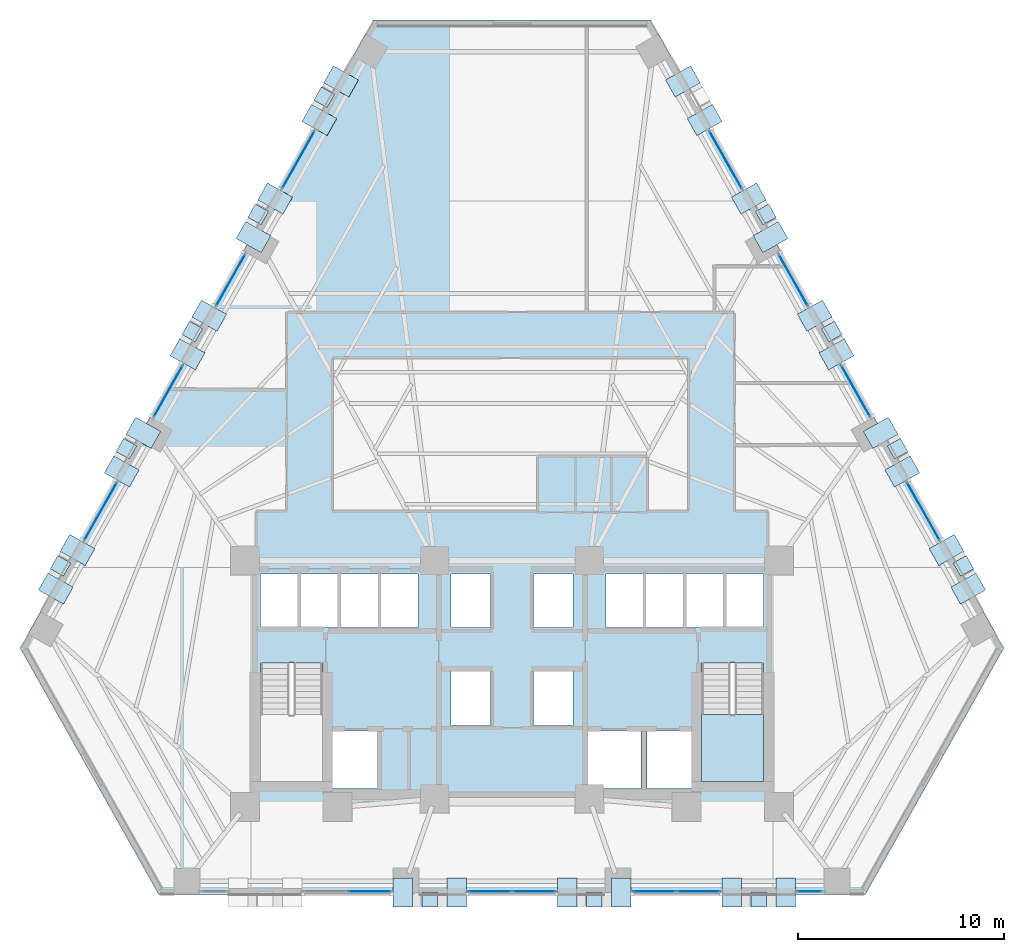
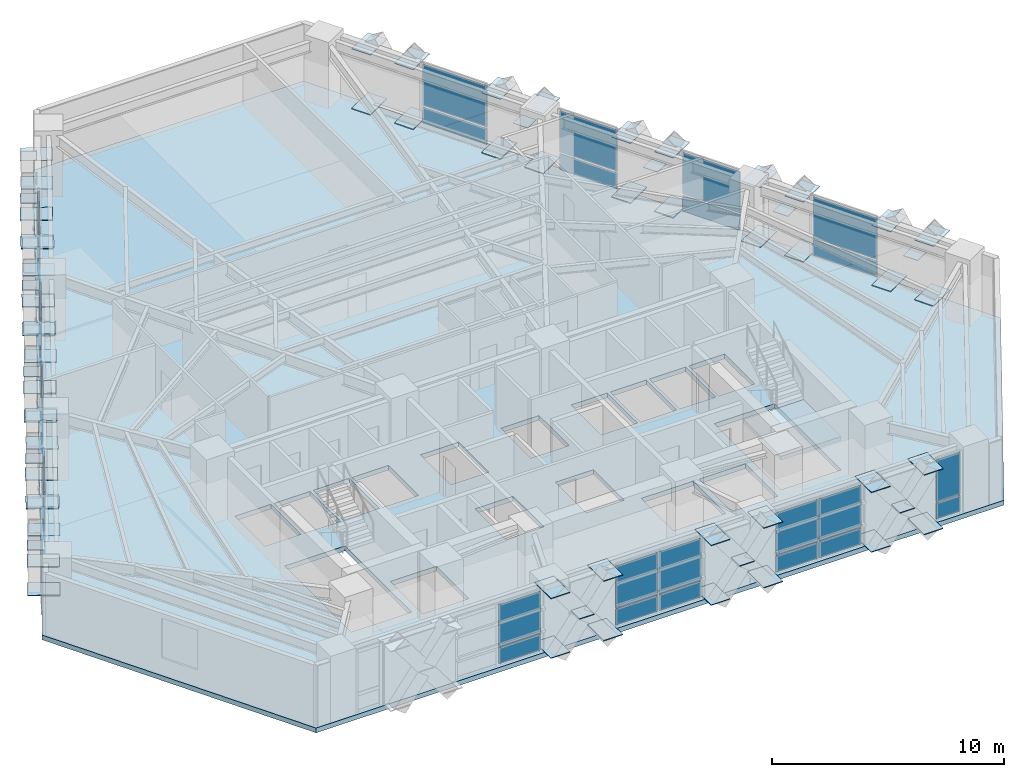
# One storey, part 6 of 13: 92 plates, 2 slabs, 13 elements without a shape of their own.
"""IFC4 building model written with IfcOpenShell, lengths in metres."""

import ifcopenshell
import ifcopenshell.guid

model = None  # the IFC model being written
_history = None  # IfcOwnerHistory: only IFC2X3 demands one
_inside = {}  # id of a spatial element -> (the spatial element, [elements in it])
_under = {}  # id of a project, library or spatial element -> (it, [spatial elements below it])
_declared = {}  # id of a project -> (the project, [libraries it declares])
_typed = {}  # id of a type object -> (the type object, [elements of that type])
_made_of = {}  # id of a material, layer set ... -> (it, [elements and type objects made of it])


def new_model(schema):
    """Start an empty IFC model of exactly this schema.

    Asked for "IFC4X3", IfcOpenShell would pick the latest addendum, in which some entities
    have other attributes; the version numbers below select the first issue.
    IFC2X3 requires an IfcOwnerHistory on every rooted entity: one is made here for all.
    """
    global model, _history
    if schema == "IFC4X3":
        model = ifcopenshell.file(schema_version=(4, 3, 0, 0))
    else:
        model = ifcopenshell.file(schema=schema)
    _inside.clear()
    _under.clear()
    _declared.clear()
    _typed.clear()
    _made_of.clear()
    _history = None
    if model.schema == "IFC2X3":
        org = make("IfcOrganization", Name="unknown")
        user = make(
            "IfcPersonAndOrganization",
            ThePerson=make("IfcPerson", FamilyName="unknown"),
            TheOrganization=org,
        )
        app = make(
            "IfcApplication",
            ApplicationDeveloper=org,
            Version="unknown",
            ApplicationFullName="unknown",
            ApplicationIdentifier="unknown",
        )
        _history = make(
            "IfcOwnerHistory",
            OwningUser=user,
            OwningApplication=app,
            ChangeAction="ADDED",
            CreationDate=0,
        )
    return model


def make(cls, **values):
    """One entity of the class cls with the attributes given. An attribute that is None is left unset."""
    return model.create_entity(
        cls, **{name: value for name, value in values.items() if value is not None}
    )


def rooted(cls, **values):
    """An entity with a GlobalId (a new one), such as an element, a storey or a relation."""
    return make(cls, GlobalId=ifcopenshell.guid.new(), OwnerHistory=_history, **values)


def si_unit(unit_type, name, prefix=None):
    """IfcSIUnit, for example si_unit("LENGTHUNIT", "METRE", prefix="MILLI")."""
    return make("IfcSIUnit", UnitType=unit_type, Prefix=prefix, Name=name)


def assignment(units):
    """IfcUnitAssignment: the units of a project."""
    return None if units is None else make("IfcUnitAssignment", Units=units)


def point(xyz):
    """IfcCartesianPoint."""
    return None if xyz is None else make("IfcCartesianPoint", Coordinates=xyz)


def direction(xyz):
    """IfcDirection."""
    return None if xyz is None else make("IfcDirection", DirectionRatios=xyz)


def frame(location, z_axis=None, x_axis=None):
    """IfcAxis2Placement3D, a coordinate frame: its origin and axes. An axis left out is left unset."""
    return make(
        "IfcAxis2Placement3D",
        Location=point(location),
        Axis=direction(z_axis),
        RefDirection=direction(x_axis),
    )


def frame_2d(location, x_axis=None):
    """IfcAxis2Placement2D, a coordinate frame in the plane: its origin and x axis."""
    return make(
        "IfcAxis2Placement2D", Location=point(location), RefDirection=direction(x_axis)
    )


def origin():
    """The frame at (0, 0, 0) with its axes left unset."""
    return frame((0.0, 0.0, 0.0))


def origin_2d():
    """The frame at (0, 0) in the plane with its x axis left unset."""
    return frame_2d((0.0, 0.0))


def place(relative_to, where):
    """IfcLocalPlacement: puts the frame where relative to a parent placement (None: the world)."""
    return make(
        "IfcLocalPlacement", PlacementRelTo=relative_to, RelativePlacement=where
    )


def context(
    kind, dimensions, precision=None, world=None, true_north=None, identifier=None
):
    """IfcGeometricRepresentationContext, for example the 3D "Model" context."""
    return make(
        "IfcGeometricRepresentationContext",
        ContextIdentifier=identifier,
        ContextType=kind,
        CoordinateSpaceDimension=dimensions,
        Precision=precision,
        WorldCoordinateSystem=world,
        TrueNorth=true_north,
    )


def subcontext(parent, identifier, kind, view, scale=None):
    """IfcGeometricRepresentationSubContext, for example "Body" below "Model"."""
    return make(
        "IfcGeometricRepresentationSubContext",
        ContextIdentifier=identifier,
        ContextType=kind,
        ParentContext=parent,
        TargetScale=scale,
        TargetView=view,
    )


def project(units=None, contexts=None):
    """IfcProject with its units and contexts."""
    return rooted(
        "IfcProject",
        Name="project",
        RepresentationContexts=contexts,
        UnitsInContext=assignment(units),
    )


def spatial(cls, under=None, at=None, **own):
    """A site, building, storey or space (cls), placed at a placement, below another one or the project."""
    s = rooted(cls, ObjectPlacement=at, **own)
    if under is not None:
        _under.setdefault(under.id(), (under, []))[1].append(s)
    return s


def polyline(points):
    """IfcPolyline through the points."""
    return make("IfcPolyline", Points=[point(p) for p in points])


def profile(cls, at=None, kind="AREA", **sizes):
    """A parametric profile (cls). Its sizes go by their IFC names, for example OverallWidth=200.0."""
    return make(cls, ProfileType=kind, Position=at, **sizes)


def rectangle(**sizes):
    """IfcRectangleProfileDef."""
    return profile("IfcRectangleProfileDef", **sizes)


def outline(outer, holes=None, kind="AREA"):
    """IfcArbitraryClosedProfileDef: a profile drawn as a closed curve; with holes, ...WithVoids."""
    if holes is None:
        return make("IfcArbitraryClosedProfileDef", ProfileType=kind, OuterCurve=outer)
    return make(
        "IfcArbitraryProfileDefWithVoids",
        ProfileType=kind,
        OuterCurve=outer,
        InnerCurves=holes,
    )


def extrude(swept, where, along, depth):
    """IfcExtrudedAreaSolid: the profile swept, set in the frame where, extruded along a direction by depth."""
    return make(
        "IfcExtrudedAreaSolid",
        SweptArea=swept,
        Position=where,
        ExtrudedDirection=direction(along),
        Depth=depth,
    )


def shape(context_of_items, identifier, shape_type, items):
    """IfcShapeRepresentation: the items that make up one representation, for example the "Body"."""
    return make(
        "IfcShapeRepresentation",
        ContextOfItems=context_of_items,
        RepresentationIdentifier=identifier,
        RepresentationType=shape_type,
        Items=items,
    )


def material(Name=None, Category=None):
    """IfcMaterial."""
    return make("IfcMaterial", Name=Name, Category=Category)


def layer(
    of_material, thickness, ventilated=None, Name=None, Category=None, Priority=None
):
    """IfcMaterialLayer: one layer of a wall or slab, of a material (None: an air gap)."""
    return make(
        "IfcMaterialLayer",
        Material=of_material,
        LayerThickness=thickness,
        IsVentilated=ventilated,
        Name=Name,
        Category=Category,
        Priority=Priority,
    )


def layer_set(layers, Name=None):
    """IfcMaterialLayerSet."""
    return make("IfcMaterialLayerSet", MaterialLayers=layers, LayerSetName=Name)


def made_of(thing, what):
    """Note that an element or type object is made of a material, layer set ...; save() writes the relation."""
    if what is not None:
        _made_of.setdefault(what.id(), (what, []))[1].append(thing)
    return thing


def type_object(cls, material=None, **own):
    """A type object (cls), such as IfcWallType, which elements share."""
    return made_of(rooted(cls, **own), material)


def element(
    cls,
    number,
    at=None,
    inside=None,
    cuts=None,
    type_object=None,
    material=None,
    context=None,
    identifier="Body",
    shape_type=None,
    held_by="IfcProductDefinitionShape",
    body=None,
    shapes=None,
    **own,
):
    """One element of the class cls, such as IfcWall. Its Tag is "e" and its number.

    at: its placement. inside: the storey or other place that contains it. cuts: it is an
    opening in that element (IfcRelVoidsElement). A single representation is given by context,
    identifier, shape_type and body (its items); several are given by shapes. held_by: the class
    of the entity that holds the representations. save() writes the other relations.
    """
    e = rooted(cls, Tag="e%d" % number, ObjectPlacement=at, **own)
    if body is not None:
        shapes = [shape(context, identifier, shape_type, body)]
    if shapes is not None:
        e.Representation = make(held_by, Representations=shapes)
    if inside is not None:
        _inside.setdefault(inside.id(), (inside, []))[1].append(e)
    if cuts is not None:
        rooted(
            "IfcRelVoidsElement", RelatingBuildingElement=cuts, RelatedOpeningElement=e
        )
    if type_object is not None:
        _typed.setdefault(type_object.id(), (type_object, []))[1].append(e)
    return made_of(e, material)


def aggregate(whole, parts):
    """IfcRelAggregates: a whole, such as a stair, and the parts it consists of."""
    return rooted("IfcRelAggregates", RelatingObject=whole, RelatedObjects=parts)


def save(model, path):
    """Write the relations noted so far, then the file.

    IfcRelAggregates (storeys below a building ...), IfcRelContainedInSpatialStructure (elements
    in a storey), IfcRelDefinesByType, IfcRelAssociatesMaterial and IfcRelDeclares: one each for
    every whole, place, type object, material and project.
    """
    for whole, parts in _under.values():
        aggregate(whole, parts)
    for where, things in _inside.values():
        rooted(
            "IfcRelContainedInSpatialStructure",
            RelatedElements=things,
            RelatingStructure=where,
        )
    for kind, things in _typed.values():
        rooted("IfcRelDefinesByType", RelatedObjects=things, RelatingType=kind)
    for what, things in _made_of.values():
        rooted("IfcRelAssociatesMaterial", RelatedObjects=things, RelatingMaterial=what)
    for by, libraries in _declared.values():
        rooted("IfcRelDeclares", RelatingContext=by, RelatedDefinitions=libraries)
    model.write(path)


model = new_model("IFC4")

# Units and contexts
model_context = context("Model", 3, precision=1e-05, world=origin(), true_north=direction((0.0, 1.0)))
body_context = subcontext(model_context, "Body", "Model", "MODEL_VIEW")
ifc_project = project(units=[si_unit("LENGTHUNIT", "METRE"), si_unit("AREAUNIT", "SQUARE_METRE"), si_unit("VOLUMEUNIT", "CUBIC_METRE"), si_unit("PLANEANGLEUNIT", "RADIAN"), si_unit("MASSUNIT", "GRAM", prefix="KILO")], contexts=[model_context])

# Site, building, storey
site_placement = place(None, origin())
site = spatial("IfcSite", under=ifc_project, at=site_placement, CompositionType="ELEMENT")
building_placement = place(site_placement, origin())
building = spatial("IfcBuilding", under=site, at=building_placement, Name="Quenlor Broadcast Tower", CompositionType="ELEMENT")
storey_placement = place(building_placement, frame((0.0, 0.0, 41.60009765625)))
storey = spatial("IfcBuildingStorey", under=building, at=storey_placement, Name="L10", CompositionType="ELEMENT", Elevation=41.60009765625)

# Curtain wall, plates
ifc_material_1 = material(Name="Architectural Terracotta and Low-E Glazing", Category="masonry")
curtain_wall_type = type_object("IfcCurtainWallType", Name="Unitised Terracotta Curtain Wall System Z1", PredefinedType="NOTDEFINED", material=ifc_material_1)
curtain_wall_1_placement = place(storey_placement, origin())
curtain_wall_1 = element("IfcCurtainWall", 1, at=curtain_wall_1_placement, inside=storey, type_object=curtain_wall_type, Name="L10 Curtain Wall CW1 (L10-SA-G1)", PredefinedType="NOTDEFINED")
ifc_material_2 = material(Name="Double Glazed Low-E Solar Glass", Category="glass")
ifc_layer_1 = layer(ifc_material_2, 0.031982421875)
ifc_layer_set_1 = layer_set([ifc_layer_1], Name="CW1 Double Glazed Vision Panel 32")
plate_type_1 = type_object("IfcPlateType", Name="CW1 Double Glazed Vision Panel 32", PredefinedType="CURTAIN_PANEL", material=ifc_layer_set_1)
plate_1_placement = place(storey_placement, frame((14.44091796875, -20.840087890625, 0.079833984375), z_axis=(0.0, 0.0, 1.0), x_axis=(-1.0, 0.0, 0.0)))
plate_1 = element("IfcPlate", 2, at=plate_1_placement, type_object=plate_type_1, Name="CW1 panel 1.1", PredefinedType="CURTAIN_PANEL", context=body_context, shape_type="SweptSolid", body=[
    extrude(rectangle(XDim=1.188232421875, YDim=0.031982421875, at=origin_2d()), origin(), (0.0, 0.0, 1.0), 0.830078125),
])
plate_2_placement = place(storey_placement, frame((14.44091796875, -20.840087890625, 0.98974609375), z_axis=(0.0, 0.0, 1.0), x_axis=(-1.0, 0.0, 0.0)))
plate_2 = element("IfcPlate", 3, at=plate_2_placement, type_object=plate_type_1, Name="CW1 panel 1.2", PredefinedType="CURTAIN_PANEL", context=body_context, shape_type="SweptSolid", body=[
    extrude(rectangle(XDim=1.188232421875, YDim=0.031982421875, at=origin_2d()), origin(), (0.0, 0.0, 1.0), 2.179931640625),
])
aggregate(curtain_wall_1, [plate_1, plate_2])

curtain_wall_2_placement = place(storey_placement, origin())
curtain_wall_2 = element("IfcCurtainWall", 4, at=curtain_wall_2_placement, inside=storey, type_object=curtain_wall_type, Name="L10 Curtain Wall CW1 (L10-SA-G2)", PredefinedType="NOTDEFINED")
plate_3_placement = place(storey_placement, frame((9.058837890625, -20.840087890625, 0.079833984375), z_axis=(0.0, 0.0, 1.0), x_axis=(-1.0, 0.0, 0.0)))
plate_3 = element("IfcPlate", 5, at=plate_3_placement, type_object=plate_type_1, Name="CW1 panel 1.1", PredefinedType="CURTAIN_PANEL", context=body_context, shape_type="SweptSolid", body=[
    extrude(rectangle(XDim=2.072021484375, YDim=0.031982421875, at=origin_2d()), origin(), (0.0, 0.0, 1.0), 0.830078125),
])
plate_4_placement = place(storey_placement, frame((9.058837890625, -20.840087890625, 0.98974609375), z_axis=(0.0, 0.0, 1.0), x_axis=(-1.0, 0.0, 0.0)))
plate_4 = element("IfcPlate", 6, at=plate_4_placement, type_object=plate_type_1, Name="CW1 panel 1.2", PredefinedType="CURTAIN_PANEL", context=body_context, shape_type="SweptSolid", body=[
    extrude(rectangle(XDim=2.072021484375, YDim=0.031982421875, at=origin_2d()), origin(), (0.0, 0.0, 1.0), 2.179931640625),
])
plate_5_placement = place(storey_placement, frame((6.90673828125, -20.840087890625, 0.079833984375), z_axis=(0.0, 0.0, 1.0), x_axis=(-1.0, 0.0, 0.0)))
plate_5 = element("IfcPlate", 7, at=plate_5_placement, type_object=plate_type_1, Name="CW1 panel 2.1", PredefinedType="CURTAIN_PANEL", context=body_context, shape_type="SweptSolid", body=[
    extrude(rectangle(XDim=2.072021484375, YDim=0.031982421875, at=origin_2d()), origin(), (0.0, 0.0, 1.0), 0.830078125),
])
plate_6_placement = place(storey_placement, frame((6.90673828125, -20.840087890625, 0.98974609375), z_axis=(0.0, 0.0, 1.0), x_axis=(-1.0, 0.0, 0.0)))
plate_6 = element("IfcPlate", 8, at=plate_6_placement, type_object=plate_type_1, Name="CW1 panel 2.2", PredefinedType="CURTAIN_PANEL", context=body_context, shape_type="SweptSolid", body=[
    extrude(rectangle(XDim=2.072021484375, YDim=0.031982421875, at=origin_2d()), origin(), (0.0, 0.0, 1.0), 2.179931640625),
])
aggregate(curtain_wall_2, [plate_3, plate_4, plate_5, plate_6])

curtain_wall_3_placement = place(storey_placement, origin())
curtain_wall_3 = element("IfcCurtainWall", 9, at=curtain_wall_3_placement, inside=storey, type_object=curtain_wall_type, Name="L10 Curtain Wall CW1 (L10-SC-G1)", PredefinedType="NOTDEFINED")
plate_7_placement = place(storey_placement, frame((-6.90673828125, -20.840087890625, 0.079833984375), z_axis=(0.0, 0.0, 1.0), x_axis=(-1.0, 0.0, 0.0)))
plate_7 = element("IfcPlate", 10, at=plate_7_placement, type_object=plate_type_1, Name="CW1 panel 1.1", PredefinedType="CURTAIN_PANEL", context=body_context, shape_type="SweptSolid", body=[
    extrude(rectangle(XDim=2.072021484375, YDim=0.031982421875, at=origin_2d()), origin(), (0.0, 0.0, 1.0), 0.830078125),
])
plate_8_placement = place(storey_placement, frame((-6.90673828125, -20.840087890625, 0.98974609375), z_axis=(0.0, 0.0, 1.0), x_axis=(-1.0, 0.0, 0.0)))
plate_8 = element("IfcPlate", 11, at=plate_8_placement, type_object=plate_type_1, Name="CW1 panel 1.2", PredefinedType="CURTAIN_PANEL", context=body_context, shape_type="SweptSolid", body=[
    extrude(rectangle(XDim=2.072021484375, YDim=0.031982421875, at=origin_2d()), origin(), (0.0, 0.0, 1.0), 2.179931640625),
])
aggregate(curtain_wall_3, [plate_7, plate_8])

curtain_wall_4_placement = place(storey_placement, origin())
curtain_wall_4 = element("IfcCurtainWall", 12, at=curtain_wall_4_placement, inside=storey, type_object=curtain_wall_type, Name="L10 Curtain Wall CW1 (L10-S-G1)", PredefinedType="NOTDEFINED")
plate_9_placement = place(storey_placement, frame((1.0771484375, -20.840087890625, 0.079833984375), z_axis=(0.0, 0.0, 1.0), x_axis=(-1.0, 0.0, 0.0)))
plate_9 = element("IfcPlate", 13, at=plate_9_placement, type_object=plate_type_1, Name="CW1 panel 1.1", PredefinedType="CURTAIN_PANEL", context=body_context, shape_type="SweptSolid", body=[
    extrude(rectangle(XDim=2.07421875, YDim=0.031982421875, at=origin_2d()), origin(), (0.0, 0.0, 1.0), 0.830078125),
])
plate_10_placement = place(storey_placement, frame((1.0771484375, -20.840087890625, 0.98974609375), z_axis=(0.0, 0.0, 1.0), x_axis=(-1.0, 0.0, 0.0)))
plate_10 = element("IfcPlate", 14, at=plate_10_placement, type_object=plate_type_1, Name="CW1 panel 1.2", PredefinedType="CURTAIN_PANEL", context=body_context, shape_type="SweptSolid", body=[
    extrude(rectangle(XDim=2.07421875, YDim=0.031982421875, at=origin_2d()), origin(), (0.0, 0.0, 1.0), 2.179931640625),
])
plate_11_placement = place(storey_placement, frame((-1.0771484375, -20.840087890625, 0.079833984375), z_axis=(0.0, 0.0, 1.0), x_axis=(-1.0, 0.0, 0.0)))
plate_11 = element("IfcPlate", 15, at=plate_11_placement, type_object=plate_type_1, Name="CW1 panel 2.1", PredefinedType="CURTAIN_PANEL", context=body_context, shape_type="SweptSolid", body=[
    extrude(rectangle(XDim=2.07421875, YDim=0.031982421875, at=origin_2d()), origin(), (0.0, 0.0, 1.0), 0.830078125),
])
plate_12_placement = place(storey_placement, frame((-1.0771484375, -20.840087890625, 0.98974609375), z_axis=(0.0, 0.0, 1.0), x_axis=(-1.0, 0.0, 0.0)))
plate_12 = element("IfcPlate", 16, at=plate_12_placement, type_object=plate_type_1, Name="CW1 panel 2.2", PredefinedType="CURTAIN_PANEL", context=body_context, shape_type="SweptSolid", body=[
    extrude(rectangle(XDim=2.07421875, YDim=0.031982421875, at=origin_2d()), origin(), (0.0, 0.0, 1.0), 2.179931640625),
])
aggregate(curtain_wall_4, [plate_9, plate_10, plate_11, plate_12])

curtain_wall_5_placement = place(storey_placement, origin())
curtain_wall_5 = element("IfcCurtainWall", 17, at=curtain_wall_5_placement, inside=storey, type_object=curtain_wall_type, Name="L10 Curtain Wall CW1 (L10-NEA-G1)", PredefinedType="NOTDEFINED")
plate_13_placement = place(storey_placement, frame((10.365234375, 14.646240234375, 0.079833984375), z_axis=(0.0, 0.0, 1.0), x_axis=(0.49024438836, -0.871585015751, 0.0)))
plate_13 = element("IfcPlate", 18, at=plate_13_placement, type_object=plate_type_1, Name="CW1 panel 1.1", PredefinedType="CURTAIN_PANEL", context=body_context, shape_type="SweptSolid", body=[
    extrude(rectangle(XDim=3.220947265625, YDim=0.031982421875, at=origin_2d()), origin(), (0.0, 0.0, 1.0), 0.830078125),
])
plate_14_placement = place(storey_placement, frame((10.365234375, 14.646240234375, 0.98974609375), z_axis=(0.0, 0.0, 1.0), x_axis=(0.49024438836, -0.871585015751, 0.0)))
plate_14 = element("IfcPlate", 19, at=plate_14_placement, type_object=plate_type_1, Name="CW1 panel 1.2", PredefinedType="CURTAIN_PANEL", context=body_context, shape_type="SweptSolid", body=[
    extrude(rectangle(XDim=3.220947265625, YDim=0.031982421875, at=origin_2d()), origin(), (0.0, 0.0, 1.0), 2.179931640625),
])
aggregate(curtain_wall_5, [plate_13, plate_14])

curtain_wall_6_placement = place(storey_placement, origin())
curtain_wall_6 = element("IfcCurtainWall", 20, at=curtain_wall_6_placement, inside=storey, type_object=curtain_wall_type, Name="L10 Curtain Wall CW1 (L10-NEC-G1)", PredefinedType="NOTDEFINED")
plate_15_placement = place(storey_placement, frame((19.95556640625, -2.403076171875, 0.079833984375), z_axis=(0.0, 0.0, 1.0), x_axis=(0.49025702672, -0.871577906875, 0.0)))
plate_15 = element("IfcPlate", 21, at=plate_15_placement, type_object=plate_type_1, Name="CW1 panel 1.1", PredefinedType="CURTAIN_PANEL", context=body_context, shape_type="SweptSolid", body=[
    extrude(rectangle(XDim=3.220947265625, YDim=0.031982421875, at=origin_2d()), origin(), (0.0, 0.0, 1.0), 0.830078125),
])
plate_16_placement = place(storey_placement, frame((19.95556640625, -2.403076171875, 0.98974609375), z_axis=(0.0, 0.0, 1.0), x_axis=(0.49025702672, -0.871577906875, 0.0)))
plate_16 = element("IfcPlate", 22, at=plate_16_placement, type_object=plate_type_1, Name="CW1 panel 1.2", PredefinedType="CURTAIN_PANEL", context=body_context, shape_type="SweptSolid", body=[
    extrude(rectangle(XDim=3.220947265625, YDim=0.031982421875, at=origin_2d()), origin(), (0.0, 0.0, 1.0), 2.179931640625),
])
aggregate(curtain_wall_6, [plate_15, plate_16])

curtain_wall_7_placement = place(storey_placement, origin())
curtain_wall_7 = element("IfcCurtainWall", 23, at=curtain_wall_7_placement, inside=storey, type_object=curtain_wall_type, Name="L10 Curtain Wall CW1 (L10-NE-G1)", PredefinedType="NOTDEFINED")
plate_17_placement = place(storey_placement, frame((13.648681640625, 8.809326171875, 0.079833984375), z_axis=(0.0, 0.0, 1.0), x_axis=(0.490273782815, -0.871568481465, 0.0)))
plate_17 = element("IfcPlate", 24, at=plate_17_placement, type_object=plate_type_1, Name="CW1 panel 1.1", PredefinedType="CURTAIN_PANEL", context=body_context, shape_type="SweptSolid", body=[
    extrude(rectangle(XDim=2.8681640625, YDim=0.031982421875, at=origin_2d()), origin(), (0.0, 0.0, 1.0), 0.830078125),
])
plate_18_placement = place(storey_placement, frame((13.648681640625, 8.809326171875, 0.98974609375), z_axis=(0.0, 0.0, 1.0), x_axis=(0.490273782815, -0.871568481465, 0.0)))
plate_18 = element("IfcPlate", 25, at=plate_18_placement, type_object=plate_type_1, Name="CW1 panel 1.2", PredefinedType="CURTAIN_PANEL", context=body_context, shape_type="SweptSolid", body=[
    extrude(rectangle(XDim=2.8681640625, YDim=0.031982421875, at=origin_2d()), origin(), (0.0, 0.0, 1.0), 2.179931640625),
])
aggregate(curtain_wall_7, [plate_17, plate_18])

curtain_wall_8_placement = place(storey_placement, origin())
curtain_wall_8 = element("IfcCurtainWall", 26, at=curtain_wall_8_placement, inside=storey, type_object=curtain_wall_type, Name="L10 Curtain Wall CW1 (L10-NE-G2)", PredefinedType="NOTDEFINED")
plate_19_placement = place(storey_placement, frame((16.67236328125, 3.433837890625, 0.079833984375), z_axis=(0.0, 0.0, 1.0), x_axis=(0.490273782815, -0.871568481465, 0.0)))
plate_19 = element("IfcPlate", 27, at=plate_19_placement, type_object=plate_type_1, Name="CW1 panel 1.1", PredefinedType="CURTAIN_PANEL", context=body_context, shape_type="SweptSolid", body=[
    extrude(rectangle(XDim=2.8681640625, YDim=0.031982421875, at=origin_2d()), origin(), (0.0, 0.0, 1.0), 0.830078125),
])
plate_20_placement = place(storey_placement, frame((16.67236328125, 3.433837890625, 0.98974609375), z_axis=(0.0, 0.0, 1.0), x_axis=(0.490273782815, -0.871568481465, 0.0)))
plate_20 = element("IfcPlate", 28, at=plate_20_placement, type_object=plate_type_1, Name="CW1 panel 1.2", PredefinedType="CURTAIN_PANEL", context=body_context, shape_type="SweptSolid", body=[
    extrude(rectangle(XDim=2.8681640625, YDim=0.031982421875, at=origin_2d()), origin(), (0.0, 0.0, 1.0), 2.179931640625),
])
aggregate(curtain_wall_8, [plate_19, plate_20])

curtain_wall_9_placement = place(storey_placement, origin())
curtain_wall_9 = element("IfcCurtainWall", 29, at=curtain_wall_9_placement, inside=storey, type_object=curtain_wall_type, Name="L10 Curtain Wall CW1 (L10-NWA-G1)", PredefinedType="NOTDEFINED")
plate_21_placement = place(storey_placement, frame((-19.95556640625, -2.403076171875, 0.079833984375), z_axis=(0.0, 0.0, 1.0), x_axis=(0.49025702672, 0.871577906875, 0.0)))
plate_21 = element("IfcPlate", 30, at=plate_21_placement, type_object=plate_type_1, Name="CW1 panel 1.1", PredefinedType="CURTAIN_PANEL", context=body_context, shape_type="SweptSolid", body=[
    extrude(rectangle(XDim=3.220947265625, YDim=0.031982421875, at=origin_2d()), origin(), (0.0, 0.0, 1.0), 0.830078125),
])
plate_22_placement = place(storey_placement, frame((-19.95556640625, -2.403076171875, 0.98974609375), z_axis=(0.0, 0.0, 1.0), x_axis=(0.49025702672, 0.871577906875, 0.0)))
plate_22 = element("IfcPlate", 31, at=plate_22_placement, type_object=plate_type_1, Name="CW1 panel 1.2", PredefinedType="CURTAIN_PANEL", context=body_context, shape_type="SweptSolid", body=[
    extrude(rectangle(XDim=3.220947265625, YDim=0.031982421875, at=origin_2d()), origin(), (0.0, 0.0, 1.0), 2.179931640625),
])
aggregate(curtain_wall_9, [plate_21, plate_22])

curtain_wall_10_placement = place(storey_placement, origin())
curtain_wall_10 = element("IfcCurtainWall", 32, at=curtain_wall_10_placement, inside=storey, type_object=curtain_wall_type, Name="L10 Curtain Wall CW1 (L10-NWC-G1)", PredefinedType="NOTDEFINED")
plate_23_placement = place(storey_placement, frame((-10.365234375, 14.646240234375, 0.079833984375), z_axis=(0.0, 0.0, 1.0), x_axis=(0.49024438836, 0.871585015751, 0.0)))
plate_23 = element("IfcPlate", 33, at=plate_23_placement, type_object=plate_type_1, Name="CW1 panel 1.1", PredefinedType="CURTAIN_PANEL", context=body_context, shape_type="SweptSolid", body=[
    extrude(rectangle(XDim=3.220947265625, YDim=0.031982421875, at=origin_2d()), origin(), (0.0, 0.0, 1.0), 0.830078125),
])
plate_24_placement = place(storey_placement, frame((-10.365234375, 14.646240234375, 0.98974609375), z_axis=(0.0, 0.0, 1.0), x_axis=(0.49024438836, 0.871585015751, 0.0)))
plate_24 = element("IfcPlate", 34, at=plate_24_placement, type_object=plate_type_1, Name="CW1 panel 1.2", PredefinedType="CURTAIN_PANEL", context=body_context, shape_type="SweptSolid", body=[
    extrude(rectangle(XDim=3.220947265625, YDim=0.031982421875, at=origin_2d()), origin(), (0.0, 0.0, 1.0), 2.179931640625),
])
aggregate(curtain_wall_10, [plate_23, plate_24])

curtain_wall_11_placement = place(storey_placement, origin())
curtain_wall_11 = element("IfcCurtainWall", 35, at=curtain_wall_11_placement, inside=storey, type_object=curtain_wall_type, Name="L10 Curtain Wall CW1 (L10-NW-G1)", PredefinedType="NOTDEFINED")
plate_25_placement = place(storey_placement, frame((-16.67236328125, 3.433837890625, 0.079833984375), z_axis=(0.0, 0.0, 1.0), x_axis=(0.490273782815, 0.871568481465, 0.0)))
plate_25 = element("IfcPlate", 36, at=plate_25_placement, type_object=plate_type_1, Name="CW1 panel 1.1", PredefinedType="CURTAIN_PANEL", context=body_context, shape_type="SweptSolid", body=[
    extrude(rectangle(XDim=2.8681640625, YDim=0.031982421875, at=origin_2d()), origin(), (0.0, 0.0, 1.0), 0.830078125),
])
plate_26_placement = place(storey_placement, frame((-16.67236328125, 3.433837890625, 0.98974609375), z_axis=(0.0, 0.0, 1.0), x_axis=(0.490273782815, 0.871568481465, 0.0)))
plate_26 = element("IfcPlate", 37, at=plate_26_placement, type_object=plate_type_1, Name="CW1 panel 1.2", PredefinedType="CURTAIN_PANEL", context=body_context, shape_type="SweptSolid", body=[
    extrude(rectangle(XDim=2.8681640625, YDim=0.031982421875, at=origin_2d()), origin(), (0.0, 0.0, 1.0), 2.179931640625),
])
aggregate(curtain_wall_11, [plate_25, plate_26])

curtain_wall_12_placement = place(storey_placement, origin())
curtain_wall_12 = element("IfcCurtainWall", 38, at=curtain_wall_12_placement, inside=storey, type_object=curtain_wall_type, Name="L10 Curtain Wall CW1 (L10-NW-G2)", PredefinedType="NOTDEFINED")
plate_27_placement = place(storey_placement, frame((-13.648681640625, 8.809326171875, 0.079833984375), z_axis=(0.0, 0.0, 1.0), x_axis=(0.490273782815, 0.871568481465, 0.0)))
plate_27 = element("IfcPlate", 39, at=plate_27_placement, type_object=plate_type_1, Name="CW1 panel 1.1", PredefinedType="CURTAIN_PANEL", context=body_context, shape_type="SweptSolid", body=[
    extrude(rectangle(XDim=2.8681640625, YDim=0.031982421875, at=origin_2d()), origin(), (0.0, 0.0, 1.0), 0.830078125),
])
plate_28_placement = place(storey_placement, frame((-13.648681640625, 8.809326171875, 0.98974609375), z_axis=(0.0, 0.0, 1.0), x_axis=(0.490273782815, 0.871568481465, 0.0)))
plate_28 = element("IfcPlate", 40, at=plate_28_placement, type_object=plate_type_1, Name="CW1 panel 1.2", PredefinedType="CURTAIN_PANEL", context=body_context, shape_type="SweptSolid", body=[
    extrude(rectangle(XDim=2.8681640625, YDim=0.031982421875, at=origin_2d()), origin(), (0.0, 0.0, 1.0), 2.179931640625),
])
aggregate(curtain_wall_12, [plate_27, plate_28])

# Plates
ifc_material_3 = material(Name="Steel S355", Category="steel")
ifc_layer_2 = layer(ifc_material_3, 0.028076171875)
ifc_layer_set_2 = layer_set([ifc_layer_2], Name="Perimeter Lattice Node Steel S355 Cap Plate 740x740x28")
plate_type_2 = type_object("IfcPlateType", Name="Perimeter Lattice Node Steel S355 Cap Plate 740x740x28", PredefinedType="USERDEFINED", material=ifc_layer_set_2)
for number, where, z_axis, x_axis, name in (
    (41, (11.970703125, -21.235107421875, 1.61572265625), (0.0, 0.0, 1.0), (-1.0, 0.0, 0.0), "L10 Diamond Lattice Crossing Node S-C1"),
    (42, (3.990234375, -21.235107421875, 1.61572265625), (0.0, 0.0, 1.0), (-1.0, 0.0, 0.0), "L10 Diamond Lattice Crossing Node S-C2"),
    (43, (-3.990234375, -21.235107421875, 1.61572265625), (0.0, 0.0, 1.0), (-1.0, 0.0, 0.0), "L10 Diamond Lattice Crossing Node S-C3"),
    (44, (12.30810546875, 11.998291015625, 1.61572265625), (0.0, 0.0, 1.0), (0.490295412055, -0.871556314255, 0.0), "L10 Diamond Lattice Crossing Node NE-C2"),
    (45, (15.5048828125, 6.315185546875, 1.61572265625), (0.0, 0.0, 1.0), (0.490295412055, -0.871556314255, 0.0), "L10 Diamond Lattice Crossing Node NE-C3"),
    (46, (18.70166015625, 0.632080078125, 1.61572265625), (0.0, 0.0, 1.0), (0.490295412055, -0.871556314255, 0.0), "L10 Diamond Lattice Crossing Node NE-C4"),
    (47, (21.898193359375, -5.051025390625, 1.61572265625), (0.0, 0.0, 1.0), (0.490295412055, -0.871556314255, 0.0), "L10 Diamond Lattice Crossing Node NE-C5"),
    (48, (-21.898193359375, -5.051025390625, 1.61572265625), (0.0, 0.0, 1.0), (0.490295412055, 0.871556314255, 0.0), "L10 Diamond Lattice Crossing Node NW-C1"),
    (49, (-18.70166015625, 0.632080078125, 1.61572265625), (0.0, 0.0, 1.0), (0.490295412055, 0.871556314255, 0.0), "L10 Diamond Lattice Crossing Node NW-C2"),
    (50, (-15.5048828125, 6.315185546875, 1.61572265625), (0.0, 0.0, 1.0), (0.490295412055, 0.871556314255, 0.0), "L10 Diamond Lattice Crossing Node NW-C3"),
    (51, (-12.30810546875, 11.998291015625, 1.61572265625), (0.0, 0.0, 1.0), (0.490295412055, 0.871556314255, 0.0), "L10 Diamond Lattice Crossing Node NW-C4"),
    (52, (-9.111083984375, 17.681640625, 1.61572265625), (0.0, 0.0, 1.0), (0.490295412055, 0.871556314255, 0.0), "L10 Diamond Lattice Crossing Node NW-C5"),
):
    element("IfcPlate", number, at=place(storey_placement, frame(where, z_axis=z_axis, x_axis=x_axis)), inside=storey, type_object=plate_type_2, Name=name, ObjectType="CAP PLATE", PredefinedType="USERDEFINED", context=body_context, shape_type="SweptSolid", body=[
        extrude(rectangle(XDim=0.739990234375, YDim=0.739990234375, at=origin_2d()), origin(), (0.0, 0.0, 1.0), 0.028076171875),
    ])

# Stair, slab
ifc_material_4 = material(Name="Precast concrete C40/50", Category="concrete")
stair_type = type_object("IfcStairType", Name="Precast Concrete C40/50 Dogleg Stair H350", PredefinedType="HALF_TURN_STAIR", material=ifc_material_4)
stair_placement = place(storey_placement, origin())
stair = element("IfcStair", 53, at=stair_placement, inside=storey, type_object=stair_type, Name="L10 East Core Fire-Isolated Exit Stair ST-2", PredefinedType="HALF_TURN_STAIR")
ifc_material_5 = material(Name="Precast concrete C40/50", Category="concrete")
ifc_layer_3 = layer(ifc_material_5, 0.199951171875)
ifc_layer_set_3 = layer_set([ifc_layer_3], Name="Precast Concrete C40/50 Stair Landing Slab 200")
slab_type_1 = type_object("IfcSlabType", Name="Precast Concrete C40/50 Stair Landing Slab 200", PredefinedType="LANDING", material=ifc_layer_set_3)
slab_1_placement = place(storey_placement, frame((0.0, 0.0, 1.5498046875)))
slab_1 = element("IfcSlab", 54, at=slab_1_placement, type_object=slab_type_1, Name="ST-2 landing 1", PredefinedType="LANDING", context=body_context, shape_type="SweptSolid", body=[
    extrude(outline(polyline([(9.199951171875, -12.27001953125), (9.199951171875, -15.5), (12.199951171875, -15.5), (12.199951171875, -12.27001953125), (9.199951171875, -12.27001953125)])), origin(), (0.0, 0.0, 1.0), 0.2001953125),
])
aggregate(stair, [slab_1])

# Slab
ifc_material_6 = material(Name="Concrete C40/50", Category="concrete")
ifc_layer_4 = layer(ifc_material_6, 0.25)
ifc_layer_set_4 = layer_set([ifc_layer_4], Name="Tower Composite Concrete C40/50 Slab 250")
slab_type_2 = type_object("IfcSlabType", Name="Tower Composite Concrete C40/50 Slab 250", PredefinedType="FLOOR", material=ifc_layer_set_4)
slab_2_placement = place(storey_placement, frame((0.0, 0.0, -0.25)))
element("IfcSlab", 55, at=slab_2_placement, inside=storey, type_object=slab_type_2, Name="L10 Structural Floor Slab", PredefinedType="FLOOR", context=body_context, shape_type="SweptSolid", body=[
    extrude(outline(polyline([(17.135986328125, -21.0), (23.867919921875, -9.031982421875), (6.73193359375, 21.431884765625), (-6.73193359375, 21.431884765625), (-23.867919921875, -9.031982421875), (-17.135986328125, -21.0), (17.135986328125, -21.0)]), holes=[polyline([(-12.199951171875, -9.758056640625), (-12.199951171875, -15.5), (-9.199951171875, -15.5), (-9.199951171875, -9.758056640625), (-12.199951171875, -9.758056640625)]), polyline([(9.199951171875, -9.758056640625), (9.199951171875, -15.5), (12.199951171875, -15.5), (12.199951171875, -9.758056640625), (9.199951171875, -9.758056640625)]), polyline([(-12.199951171875, -8.050048828125), (-10.39990234375, -8.050048828125), (-10.39990234375, -5.449951171875), (-12.199951171875, -5.449951171875), (-12.199951171875, -8.050048828125)]), polyline([(-10.25, -8.050048828125), (-8.449951171875, -8.050048828125), (-8.449951171875, -5.449951171875), (-10.25, -5.449951171875), (-10.25, -8.050048828125)]), polyline([(-8.300048828125, -8.050048828125), (-6.5, -8.050048828125), (-6.5, -5.449951171875), (-8.300048828125, -5.449951171875), (-8.300048828125, -8.050048828125)]), polyline([(-6.35009765625, -8.050048828125), (-4.550048828125, -8.050048828125), (-4.550048828125, -5.449951171875), (-6.35009765625, -5.449951171875), (-6.35009765625, -8.050048828125)]), polyline([(-2.949951171875, -8.050048828125), (-1.050048828125, -8.050048828125), (-1.050048828125, -5.449951171875), (-2.949951171875, -5.449951171875), (-2.949951171875, -8.050048828125)]), polyline([(1.050048828125, -8.050048828125), (2.949951171875, -8.050048828125), (2.949951171875, -5.449951171875), (1.050048828125, -5.449951171875), (1.050048828125, -8.050048828125)]), polyline([(-2.949951171875, -12.800048828125), (-1.050048828125, -12.800048828125), (-1.050048828125, -10.14990234375), (-2.949951171875, -10.14990234375), (-2.949951171875, -12.800048828125)]), polyline([(1.050048828125, -12.800048828125), (2.949951171875, -12.800048828125), (2.949951171875, -10.14990234375), (1.050048828125, -10.14990234375), (1.050048828125, -12.800048828125)]), polyline([(4.550048828125, -8.050048828125), (6.35009765625, -8.050048828125), (6.35009765625, -5.449951171875), (4.550048828125, -5.449951171875), (4.550048828125, -8.050048828125)]), polyline([(6.5, -8.050048828125), (8.300048828125, -8.050048828125), (8.300048828125, -5.449951171875), (6.5, -5.449951171875), (6.5, -8.050048828125)]), polyline([(8.449951171875, -8.050048828125), (10.25, -8.050048828125), (10.25, -5.449951171875), (8.449951171875, -5.449951171875), (8.449951171875, -8.050048828125)]), polyline([(10.39990234375, -8.050048828125), (12.199951171875, -8.050048828125), (12.199951171875, -5.449951171875), (10.39990234375, -5.449951171875), (10.39990234375, -8.050048828125)]), polyline([(-8.85009765625, -15.85009765625), (-6.550048828125, -15.85009765625), (-6.550048828125, -13.050048828125), (-8.85009765625, -13.050048828125), (-8.85009765625, -15.85009765625)]), polyline([(6.550048828125, -15.85009765625), (8.85009765625, -15.85009765625), (8.85009765625, -13.050048828125), (6.550048828125, -13.050048828125), (6.550048828125, -15.85009765625)]), polyline([(3.64990234375, -15.85009765625), (6.25, -15.85009765625), (6.25, -13.050048828125), (3.64990234375, -13.050048828125), (3.64990234375, -15.85009765625)])]), origin(), (0.0, 0.0, 1.0), 0.25),
])

# Plates
ifc_material_7 = material(Name="Steel S355", Category="steel")
ifc_layer_5 = layer(ifc_material_7, 0.035888671875)
ifc_layer_set_5 = layer_set([ifc_layer_5], Name="Transfer Truss Steel S355 Gusset Node Plate 1400x950x36")
plate_type_3 = type_object("IfcPlateType", Name="Transfer Truss Steel S355 Gusset Node Plate 1400x950x36", PredefinedType="SHEET", material=ifc_layer_set_5)
for number, where, z_axis, x_axis, name in (
    (56, (13.284912109375, -20.89990234375, 0.0419921875), (0.0, 0.0, 1.0), (0.0, -1.0, 0.0), "L10 Lattice Tie Gusset Node S-B1"),
    (57, (10.656494140625, -20.89990234375, 3.18212890625), (0.0, 0.0, 1.0), (0.0, -1.0, 0.0), "L10 Lattice Tie Gusset Node S-T2"),
    (58, (10.656494140625, -20.89990234375, 0.0419921875), (0.0, 0.0, 1.0), (0.0, -1.0, 0.0), "L10 Lattice Tie Gusset Node S-B2"),
    (59, (13.284912109375, -20.89990234375, 3.18212890625), (0.0, 0.0, 1.0), (0.0, -1.0, 0.0), "L10 Lattice Tie Gusset Node S-T1"),
    (60, (5.304443359375, -20.89990234375, 0.0419921875), (0.0, 0.0, 1.0), (0.0, -1.0, 0.0), "L10 Lattice Tie Gusset Node S-B4"),
    (61, (2.676025390625, -20.89990234375, 3.18212890625), (0.0, 0.0, 1.0), (0.0, -1.0, 0.0), "L10 Lattice Tie Gusset Node S-T5"),
    (62, (2.676025390625, -20.89990234375, 0.0419921875), (0.0, 0.0, 1.0), (0.0, -1.0, 0.0), "L10 Lattice Tie Gusset Node S-B5"),
    (63, (5.304443359375, -20.89990234375, 3.18212890625), (0.0, 0.0, 1.0), (0.0, -1.0, 0.0), "L10 Lattice Tie Gusset Node S-T4"),
    (64, (-2.676025390625, -20.89990234375, 0.0419921875), (0.0, 0.0, 1.0), (0.0, -1.0, 0.0), "L10 Lattice Tie Gusset Node S-B7"),
    (65, (-5.304443359375, -20.89990234375, 3.18212890625), (0.0, 0.0, 1.0), (0.0, -1.0, 0.0), "L10 Lattice Tie Gusset Node S-T8"),
    (66, (-5.304443359375, -20.89990234375, 0.0419921875), (0.0, 0.0, 1.0), (0.0, -1.0, 0.0), "L10 Lattice Tie Gusset Node S-B8"),
    (67, (-2.676025390625, -20.89990234375, 3.18212890625), (0.0, 0.0, 1.0), (0.0, -1.0, 0.0), "L10 Lattice Tie Gusset Node S-T7"),
    (68, (8.292724609375, 18.453125, 0.0419921875), (0.0, 0.0, 1.0), (0.871556314255, 0.490295412055, 0.0), "L10 Lattice Tie Gusset Node NE-B1"),
    (69, (9.345703125, 16.58154296875, 3.18212890625), (0.0, 0.0, 1.0), (0.871556314255, 0.490295412055, 0.0), "L10 Lattice Tie Gusset Node NE-T2"),
    (70, (9.345703125, 16.58154296875, 0.0419921875), (0.0, 0.0, 1.0), (0.871556314255, 0.490295412055, 0.0), "L10 Lattice Tie Gusset Node NE-B2"),
    (71, (8.292724609375, 18.453125, 3.18212890625), (0.0, 0.0, 1.0), (0.871556314255, 0.490295412055, 0.0), "L10 Lattice Tie Gusset Node NE-T1"),
    (72, (11.489501953125, 12.77001953125, 0.0419921875), (0.0, 0.0, 1.0), (0.871556314255, 0.490295412055, 0.0), "L10 Lattice Tie Gusset Node NE-B4"),
    (73, (12.54248046875, 10.898193359375, 3.18212890625), (0.0, 0.0, 1.0), (0.871556314255, 0.490295412055, 0.0), "L10 Lattice Tie Gusset Node NE-T5"),
    (74, (12.54248046875, 10.898193359375, 0.0419921875), (0.0, 0.0, 1.0), (0.871556314255, 0.490295412055, 0.0), "L10 Lattice Tie Gusset Node NE-B5"),
    (75, (11.489501953125, 12.77001953125, 3.18212890625), (0.0, 0.0, 1.0), (0.871556314255, 0.490295412055, 0.0), "L10 Lattice Tie Gusset Node NE-T4"),
    (76, (14.686279296875, 7.0869140625, 0.0419921875), (0.0, 0.0, 1.0), (0.871556314255, 0.490295412055, 0.0), "L10 Lattice Tie Gusset Node NE-B7"),
    (77, (15.7392578125, 5.215087890625, 3.18212890625), (0.0, 0.0, 1.0), (0.871556314255, 0.490295412055, 0.0), "L10 Lattice Tie Gusset Node NE-T8"),
    (78, (15.7392578125, 5.215087890625, 0.0419921875), (0.0, 0.0, 1.0), (0.871556314255, 0.490295412055, 0.0), "L10 Lattice Tie Gusset Node NE-B8"),
    (79, (14.686279296875, 7.0869140625, 3.18212890625), (0.0, 0.0, 1.0), (0.871556314255, 0.490295412055, 0.0), "L10 Lattice Tie Gusset Node NE-T7"),
    (80, (17.88330078125, 1.40380859375, 0.0419921875), (0.0, 0.0, 1.0), (0.871556314255, 0.490295412055, 0.0), "L10 Lattice Tie Gusset Node NE-B10"),
    (81, (18.93603515625, -0.468017578125, 3.18212890625), (0.0, 0.0, 1.0), (0.871556314255, 0.490295412055, 0.0), "L10 Lattice Tie Gusset Node NE-T11"),
    (82, (18.93603515625, -0.468017578125, 0.0419921875), (0.0, 0.0, 1.0), (0.871556314255, 0.490295412055, 0.0), "L10 Lattice Tie Gusset Node NE-B11"),
    (83, (17.88330078125, 1.40380859375, 3.18212890625), (0.0, 0.0, 1.0), (0.871556314255, 0.490295412055, 0.0), "L10 Lattice Tie Gusset Node NE-T10"),
    (84, (21.079833984375, -4.279541015625, 0.0419921875), (0.0, 0.0, 1.0), (0.871556314255, 0.490295412055, 0.0), "L10 Lattice Tie Gusset Node NE-B13"),
    (85, (22.1328125, -6.151123046875, 3.18212890625), (0.0, 0.0, 1.0), (0.871556314255, 0.490295412055, 0.0), "L10 Lattice Tie Gusset Node NE-T14"),
    (86, (22.1328125, -6.151123046875, 0.0419921875), (0.0, 0.0, 1.0), (0.871556314255, 0.490295412055, 0.0), "L10 Lattice Tie Gusset Node NE-B14"),
    (87, (21.079833984375, -4.279541015625, 3.18212890625), (0.0, 0.0, 1.0), (0.871556314255, 0.490295412055, 0.0), "L10 Lattice Tie Gusset Node NE-T13"),
    (88, (-22.1328125, -6.151123046875, 0.0419921875), (0.0, 0.0, 1.0), (-0.871556314255, 0.490295412055, 0.0), "L10 Lattice Tie Gusset Node NW-B1"),
    (89, (-21.079833984375, -4.279541015625, 3.18212890625), (0.0, 0.0, 1.0), (-0.871556314255, 0.490295412055, 0.0), "L10 Lattice Tie Gusset Node NW-T2"),
    (90, (-21.079833984375, -4.279541015625, 0.0419921875), (0.0, 0.0, 1.0), (-0.871556314255, 0.490295412055, 0.0), "L10 Lattice Tie Gusset Node NW-B2"),
    (91, (-22.1328125, -6.151123046875, 3.18212890625), (0.0, 0.0, 1.0), (-0.871556314255, 0.490295412055, 0.0), "L10 Lattice Tie Gusset Node NW-T1"),
    (92, (-18.93603515625, -0.468017578125, 0.0419921875), (0.0, 0.0, 1.0), (-0.871556314255, 0.490295412055, 0.0), "L10 Lattice Tie Gusset Node NW-B4"),
    (93, (-17.88330078125, 1.40380859375, 3.18212890625), (0.0, 0.0, 1.0), (-0.871556314255, 0.490295412055, 0.0), "L10 Lattice Tie Gusset Node NW-T5"),
    (94, (-17.88330078125, 1.40380859375, 0.0419921875), (0.0, 0.0, 1.0), (-0.871556314255, 0.490295412055, 0.0), "L10 Lattice Tie Gusset Node NW-B5"),
    (95, (-18.93603515625, -0.468017578125, 3.18212890625), (0.0, 0.0, 1.0), (-0.871556314255, 0.490295412055, 0.0), "L10 Lattice Tie Gusset Node NW-T4"),
    (96, (-15.7392578125, 5.215087890625, 0.0419921875), (0.0, 0.0, 1.0), (-0.871556314255, 0.490295412055, 0.0), "L10 Lattice Tie Gusset Node NW-B7"),
    (97, (-14.686279296875, 7.0869140625, 3.18212890625), (0.0, 0.0, 1.0), (-0.871556314255, 0.490295412055, 0.0), "L10 Lattice Tie Gusset Node NW-T8"),
    (98, (-14.686279296875, 7.0869140625, 0.0419921875), (0.0, 0.0, 1.0), (-0.871556314255, 0.490295412055, 0.0), "L10 Lattice Tie Gusset Node NW-B8"),
    (99, (-15.7392578125, 5.215087890625, 3.18212890625), (0.0, 0.0, 1.0), (-0.871556314255, 0.490295412055, 0.0), "L10 Lattice Tie Gusset Node NW-T7"),
    (100, (-12.54248046875, 10.898193359375, 0.0419921875), (0.0, 0.0, 1.0), (-0.871556314255, 0.490295412055, 0.0), "L10 Lattice Tie Gusset Node NW-B10"),
    (101, (-11.489501953125, 12.77001953125, 3.18212890625), (0.0, 0.0, 1.0), (-0.871556314255, 0.490295412055, 0.0), "L10 Lattice Tie Gusset Node NW-T11"),
    (102, (-11.489501953125, 12.77001953125, 0.0419921875), (0.0, 0.0, 1.0), (-0.871556314255, 0.490295412055, 0.0), "L10 Lattice Tie Gusset Node NW-B11"),
    (103, (-12.54248046875, 10.898193359375, 3.18212890625), (0.0, 0.0, 1.0), (-0.871556314255, 0.490295412055, 0.0), "L10 Lattice Tie Gusset Node NW-T10"),
    (104, (-9.345703125, 16.58154296875, 0.0419921875), (0.0, 0.0, 1.0), (-0.871556314255, 0.490295412055, 0.0), "L10 Lattice Tie Gusset Node NW-B13"),
    (105, (-8.292724609375, 18.453125, 3.18212890625), (0.0, 0.0, 1.0), (-0.871556314255, 0.490295412055, 0.0), "L10 Lattice Tie Gusset Node NW-T14"),
    (106, (-8.292724609375, 18.453125, 0.0419921875), (0.0, 0.0, 1.0), (-0.871556314255, 0.490295412055, 0.0), "L10 Lattice Tie Gusset Node NW-B14"),
    (107, (-9.345703125, 16.58154296875, 3.18212890625), (0.0, 0.0, 1.0), (-0.871556314255, 0.490295412055, 0.0), "L10 Lattice Tie Gusset Node NW-T13"),
):
    element("IfcPlate", number, at=place(storey_placement, frame(where, z_axis=z_axis, x_axis=x_axis)), inside=storey, type_object=plate_type_3, Name=name, PredefinedType="SHEET", context=body_context, shape_type="SweptSolid", body=[
        extrude(rectangle(XDim=1.39990234375, YDim=0.949951171875, at=origin_2d()), origin(), (0.0, 0.0, 1.0), 0.035888671875),
    ])

save(model, "model.ifc")
